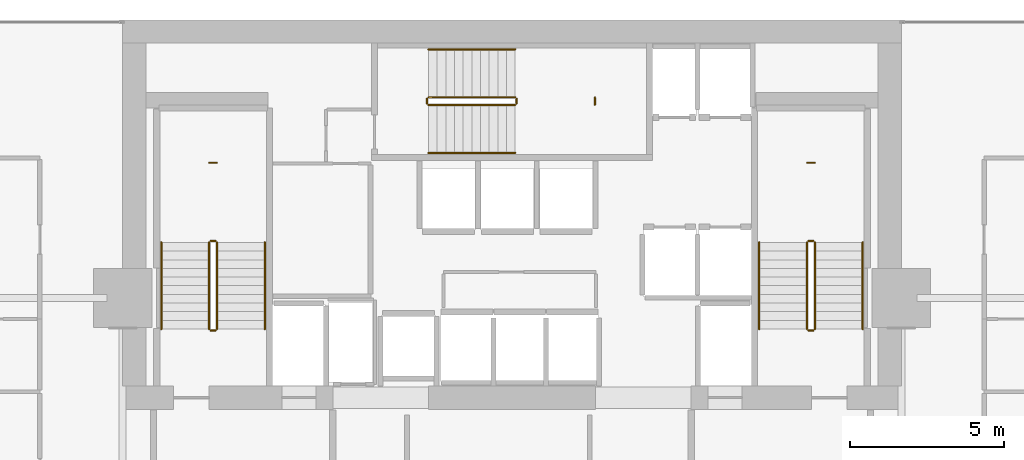
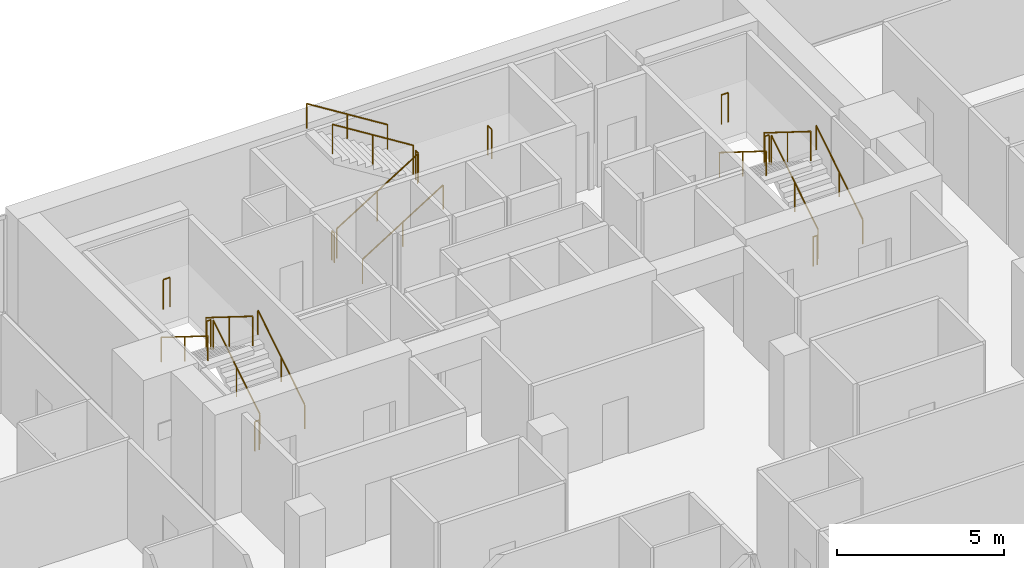
# One storey, part 34 of 34: 21 railings.
"""IFC4 building model written with IfcOpenShell, lengths in metres."""

from ifc_helpers import new_model, si_unit, direction, frame, origin, origin_2d, place, context, subcontext, project, spatial, circle, extrude, material, type_object, element, save


model = new_model("IFC4")

# Units and contexts
model_context = context("Model", 3, precision=1e-05, world=origin(), true_north=direction((0.0, 1.0)))
body_context = subcontext(model_context, "Body", "Model", "MODEL_VIEW")
ifc_project = project(units=[si_unit("LENGTHUNIT", "METRE"), si_unit("AREAUNIT", "SQUARE_METRE"), si_unit("VOLUMEUNIT", "CUBIC_METRE"), si_unit("PLANEANGLEUNIT", "RADIAN"), si_unit("MASSUNIT", "GRAM", prefix="KILO")], contexts=[model_context])

# Site, building, storey
site_placement = place(None, origin())
site = spatial("IfcSite", under=ifc_project, at=site_placement, CompositionType="ELEMENT")
building_placement = place(site_placement, origin())
building = spatial("IfcBuilding", under=site, at=building_placement, Name="Maruvema Waterfront Hotel and Observation Tower", CompositionType="ELEMENT")
storey_placement = place(building_placement, frame((0.0, 0.0, 185.14990234375)))
storey = spatial("IfcBuildingStorey", under=building, at=storey_placement, Name="L45", CompositionType="ELEMENT", Elevation=185.14990234375)

# Railings
ifc_material_1 = material(Name="Brushed stainless steel Grade 316", Category="steel")
railing_type_1 = type_object("IfcRailingType", Name="Ramp Continuous Wall Handrail 920 mm", PredefinedType="HANDRAIL", material=ifc_material_1)
railing_1_placement = place(storey_placement, frame((29.800048828125, 44.0, 0.175048828125)))
element("IfcRailing", 1, at=railing_1_placement, inside=storey, type_object=railing_type_1, Name="L45 ST-01 stair handrail 1", PredefinedType="HANDRAIL", context=body_context, shape_type="SweptSolid", body=[
    extrude(circle(Radius=0.02392578125, at=origin_2d()), frame((0.0, 0.0, 0.89599609375), z_axis=(0.0, 0.848002457836, 0.529992293815), x_axis=(-1.0, 0.0, 0.0)), (0.0, 0.0, 1.0), 3.302001953125),
    extrude(circle(Radius=0.02099609375, at=origin_2d()), origin(), (0.0, 0.0, 1.0), 0.871826171875),
    extrude(circle(Radius=0.02099609375, at=origin_2d()), frame((0.0, 1.39990234375, 0.875)), (0.0, 0.0, 1.0), 0.871826171875),
    extrude(circle(Radius=0.02099609375, at=origin_2d()), frame((0.0, 2.800048828125, 1.75)), (0.0, 0.0, 1.0), 0.871826171875),
])
railing_2_placement = place(storey_placement, frame((26.449951171875, 46.800048828125, 2.10009765625)))
element("IfcRailing", 2, at=railing_2_placement, inside=storey, type_object=railing_type_1, Name="L45 ST-01 stair handrail 2", PredefinedType="HANDRAIL", context=body_context, shape_type="SweptSolid", body=[
    extrude(circle(Radius=0.02392578125, at=origin_2d()), frame((0.0, 0.0, 0.89599609375), z_axis=(0.0, -0.848002457836, 0.529992293815), x_axis=(1.0, 0.0, 0.0)), (0.0, 0.0, 1.0), 3.302001953125),
    extrude(circle(Radius=0.02099609375, at=origin_2d()), origin(), (0.0, 0.0, 1.0), 0.871826171875),
    extrude(circle(Radius=0.02099609375, at=origin_2d()), frame((0.0, -1.39990234375, 0.875)), (0.0, 0.0, 1.0), 0.871826171875),
    extrude(circle(Radius=0.02099609375, at=origin_2d()), frame((0.0, -2.800048828125, 1.75)), (0.0, 0.0, 1.0), 0.871826171875),
])
railing_3_placement = place(storey_placement, frame((35.10009765625, 49.699951171875, 0.175048828125)))
element("IfcRailing", 3, at=railing_3_placement, inside=storey, type_object=railing_type_1, Name="L45 ST-02 stair handrail 1", PredefinedType="HANDRAIL", context=body_context, shape_type="SweptSolid", body=[
    extrude(circle(Radius=0.02392578125, at=origin_2d()), frame((0.0, 0.0, 0.89599609375), z_axis=(0.847981687118, 0.0, 0.530025526095), x_axis=(0.0, 1.0, 0.0)), (0.0, 0.0, 1.0), 3.3017578125),
    extrude(circle(Radius=0.02099609375, at=origin_2d()), origin(), (0.0, 0.0, 1.0), 0.871826171875),
    extrude(circle(Radius=0.02099609375, at=origin_2d()), frame((1.39990234375, 0.0, 0.875)), (0.0, 0.0, 1.0), 0.871826171875),
    extrude(circle(Radius=0.02099609375, at=origin_2d()), frame((2.7998046875, 0.0, 1.75)), (0.0, 0.0, 1.0), 0.871826171875),
])
railing_4_placement = place(storey_placement, frame((37.89990234375, 53.050048828125, 2.10009765625)))
element("IfcRailing", 4, at=railing_4_placement, inside=storey, type_object=railing_type_1, Name="L45 ST-02 stair handrail 2", PredefinedType="HANDRAIL", context=body_context, shape_type="SweptSolid", body=[
    extrude(circle(Radius=0.02392578125, at=origin_2d()), frame((0.0, 0.0, 0.89599609375), z_axis=(-0.847981687118, 0.0, 0.530025526095), x_axis=(0.0, -1.0, 0.0)), (0.0, 0.0, 1.0), 3.3017578125),
    extrude(circle(Radius=0.02099609375, at=origin_2d()), origin(), (0.0, 0.0, 1.0), 0.871826171875),
    extrude(circle(Radius=0.02099609375, at=origin_2d()), frame((-1.39990234375, 0.0, 0.875)), (0.0, 0.0, 1.0), 0.871826171875),
    extrude(circle(Radius=0.02099609375, at=origin_2d()), frame((-2.7998046875, 0.0, 1.75)), (0.0, 0.0, 1.0), 0.871826171875),
])
railing_5_placement = place(storey_placement, frame((49.14990234375, 44.0, 0.175048828125)))
element("IfcRailing", 5, at=railing_5_placement, inside=storey, type_object=railing_type_1, Name="L45 ST-03 stair handrail 1", PredefinedType="HANDRAIL", context=body_context, shape_type="SweptSolid", body=[
    extrude(circle(Radius=0.02392578125, at=origin_2d()), frame((0.0, 0.0, 0.89599609375), z_axis=(0.0, 0.848002457836, 0.529992293815), x_axis=(-1.0, 0.0, 0.0)), (0.0, 0.0, 1.0), 3.302001953125),
    extrude(circle(Radius=0.02099609375, at=origin_2d()), origin(), (0.0, 0.0, 1.0), 0.871826171875),
    extrude(circle(Radius=0.02099609375, at=origin_2d()), frame((0.0, 1.39990234375, 0.875)), (0.0, 0.0, 1.0), 0.871826171875),
    extrude(circle(Radius=0.02099609375, at=origin_2d()), frame((0.0, 2.800048828125, 1.75)), (0.0, 0.0, 1.0), 0.871826171875),
])
railing_6_placement = place(storey_placement, frame((45.800048828125, 46.800048828125, 2.10009765625)))
element("IfcRailing", 6, at=railing_6_placement, inside=storey, type_object=railing_type_1, Name="L45 ST-03 stair handrail 2", PredefinedType="HANDRAIL", context=body_context, shape_type="SweptSolid", body=[
    extrude(circle(Radius=0.02392578125, at=origin_2d()), frame((0.0, 0.0, 0.89599609375), z_axis=(0.0, -0.848002457836, 0.529992293815), x_axis=(1.0, 0.0, 0.0)), (0.0, 0.0, 1.0), 3.302001953125),
    extrude(circle(Radius=0.02099609375, at=origin_2d()), origin(), (0.0, 0.0, 1.0), 0.871826171875),
    extrude(circle(Radius=0.02099609375, at=origin_2d()), frame((0.0, -1.39990234375, 0.875)), (0.0, 0.0, 1.0), 0.871826171875),
    extrude(circle(Radius=0.02099609375, at=origin_2d()), frame((0.0, -2.800048828125, 1.75)), (0.0, 0.0, 1.0), 0.871826171875),
])
ifc_material_2 = material(Name="Brushed stainless steel Grade 316", Category="steel")
railing_type_2 = type_object("IfcRailingType", Name="Ramp and Terrace Guard Balustrade 1100 mm", PredefinedType="BALUSTRADE", material=ifc_material_2)
railing_7_placement = place(storey_placement, frame((28.25, 44.0, 0.175048828125)))
element("IfcRailing", 7, at=railing_7_placement, inside=storey, type_object=railing_type_2, Name="L45 ST-01 stair guard 1", PredefinedType="BALUSTRADE", context=body_context, shape_type="SweptSolid", body=[
    extrude(circle(Radius=0.02392578125, at=origin_2d()), frame((0.0, 0.0, 1.076171875), z_axis=(0.0, 0.848002457836, 0.529992293815), x_axis=(-1.0, 0.0, 0.0)), (0.0, 0.0, 1.0), 3.302001953125),
    extrude(circle(Radius=0.02099609375, at=origin_2d()), origin(), (0.0, 0.0, 1.0), 1.052001953125),
    extrude(circle(Radius=0.02099609375, at=origin_2d()), frame((0.0, 1.39990234375, 0.875)), (0.0, 0.0, 1.0), 1.052001953125),
    extrude(circle(Radius=0.02099609375, at=origin_2d()), frame((0.0, 2.800048828125, 1.75)), (0.0, 0.0, 1.0), 1.052001953125),
])
railing_8_placement = place(storey_placement, frame((28.199951171875, 46.85009765625, 1.925048828125)))
element("IfcRailing", 8, at=railing_8_placement, inside=storey, type_object=railing_type_2, Name="L45 ST-01 stair guard 2", PredefinedType="BALUSTRADE", context=body_context, shape_type="SweptSolid", body=[
    extrude(circle(Radius=0.02392578125, at=origin_2d()), frame((0.0, 0.0, 1.076171875), z_axis=(-1.0, 0.0, 0.0), x_axis=(0.0, -1.0, 0.0)), (0.0, 0.0, 1.0), 0.14990234375),
    extrude(circle(Radius=0.02099609375, at=origin_2d()), origin(), (0.0, 0.0, 1.0), 1.052001953125),
    extrude(circle(Radius=0.02099609375, at=origin_2d()), frame((-0.14990234375, 0.0, 0.0)), (0.0, 0.0, 1.0), 1.052001953125),
])
railing_9_placement = place(storey_placement, frame((28.0, 46.800048828125, 2.10009765625)))
element("IfcRailing", 9, at=railing_9_placement, inside=storey, type_object=railing_type_2, Name="L45 ST-01 stair guard 3", PredefinedType="BALUSTRADE", context=body_context, shape_type="SweptSolid", body=[
    extrude(circle(Radius=0.02392578125, at=origin_2d()), frame((0.0, 0.0, 1.076171875), z_axis=(0.0, -0.848002457836, 0.529992293815), x_axis=(1.0, 0.0, 0.0)), (0.0, 0.0, 1.0), 3.302001953125),
    extrude(circle(Radius=0.02099609375, at=origin_2d()), origin(), (0.0, 0.0, 1.0), 1.052001953125),
    extrude(circle(Radius=0.02099609375, at=origin_2d()), frame((0.0, -1.39990234375, 0.875)), (0.0, 0.0, 1.0), 1.052001953125),
    extrude(circle(Radius=0.02099609375, at=origin_2d()), frame((0.0, -2.800048828125, 1.75)), (0.0, 0.0, 1.0), 1.052001953125),
])
railing_10_placement = place(storey_placement, frame((28.199951171875, 43.949951171875, 0.0)))
element("IfcRailing", 10, at=railing_10_placement, inside=storey, type_object=railing_type_2, Name="L45 ST-01 stair guard 4", PredefinedType="BALUSTRADE", context=body_context, shape_type="SweptSolid", body=[
    extrude(circle(Radius=0.02392578125, at=origin_2d()), frame((0.0, 0.0, 1.076171875), z_axis=(-1.0, 0.0, 0.0), x_axis=(0.0, -1.0, 0.0)), (0.0, 0.0, 1.0), 0.14990234375),
    extrude(circle(Radius=0.02099609375, at=origin_2d()), origin(), (0.0, 0.0, 1.0), 1.052001953125),
    extrude(circle(Radius=0.02099609375, at=origin_2d()), frame((-0.14990234375, 0.0, 0.0)), (0.0, 0.0, 1.0), 1.052001953125),
])
railing_11_placement = place(storey_placement, frame((28.239990234375, 49.3798828125, 1.925048828125)))
element("IfcRailing", 11, at=railing_11_placement, inside=storey, type_object=railing_type_2, Name="L45 ST-01 Half-Landing Slot Guard", PredefinedType="BALUSTRADE", context=body_context, shape_type="SweptSolid", body=[
    extrude(circle(Radius=0.02392578125, at=origin_2d()), frame((0.0, 0.0, 1.076171875), z_axis=(-1.0, 0.0, 0.0), x_axis=(0.0, -1.0, 0.0)), (0.0, 0.0, 1.0), 0.22998046875),
    extrude(circle(Radius=0.02099609375, at=origin_2d()), origin(), (0.0, 0.0, 1.0), 1.052001953125),
    extrude(circle(Radius=0.02099609375, at=origin_2d()), frame((-0.22998046875, 0.0, 0.0)), (0.0, 0.0, 1.0), 1.052001953125),
])
railing_12_placement = place(storey_placement, frame((35.10009765625, 51.25, 0.175048828125)))
element("IfcRailing", 12, at=railing_12_placement, inside=storey, type_object=railing_type_2, Name="L45 ST-02 stair guard 1", PredefinedType="BALUSTRADE", context=body_context, shape_type="SweptSolid", body=[
    extrude(circle(Radius=0.02392578125, at=origin_2d()), frame((0.0, 0.0, 1.076171875), z_axis=(0.847981687118, 0.0, 0.530025526095), x_axis=(0.0, 1.0, 0.0)), (0.0, 0.0, 1.0), 3.3017578125),
    extrude(circle(Radius=0.02099609375, at=origin_2d()), origin(), (0.0, 0.0, 1.0), 1.052001953125),
    extrude(circle(Radius=0.02099609375, at=origin_2d()), frame((1.39990234375, 0.0, 0.875)), (0.0, 0.0, 1.0), 1.052001953125),
    extrude(circle(Radius=0.02099609375, at=origin_2d()), frame((2.7998046875, 0.0, 1.75)), (0.0, 0.0, 1.0), 1.052001953125),
])
railing_13_placement = place(storey_placement, frame((37.949951171875, 51.300048828125, 1.925048828125)))
element("IfcRailing", 13, at=railing_13_placement, inside=storey, type_object=railing_type_2, Name="L45 ST-02 stair guard 2", PredefinedType="BALUSTRADE", context=body_context, shape_type="SweptSolid", body=[
    extrude(circle(Radius=0.02392578125, at=origin_2d()), frame((0.0, 0.0, 1.076171875), z_axis=(0.0, 1.0, 0.0), x_axis=(-1.0, 0.0, 0.0)), (0.0, 0.0, 1.0), 0.14990234375),
    extrude(circle(Radius=0.02099609375, at=origin_2d()), origin(), (0.0, 0.0, 1.0), 1.052001953125),
    extrude(circle(Radius=0.02099609375, at=origin_2d()), frame((0.0, 0.14990234375, 0.0)), (0.0, 0.0, 1.0), 1.052001953125),
])
railing_14_placement = place(storey_placement, frame((37.89990234375, 51.5, 2.10009765625)))
element("IfcRailing", 14, at=railing_14_placement, inside=storey, type_object=railing_type_2, Name="L45 ST-02 stair guard 3", PredefinedType="BALUSTRADE", context=body_context, shape_type="SweptSolid", body=[
    extrude(circle(Radius=0.02392578125, at=origin_2d()), frame((0.0, 0.0, 1.076171875), z_axis=(-0.847981687118, 0.0, 0.530025526095), x_axis=(0.0, -1.0, 0.0)), (0.0, 0.0, 1.0), 3.3017578125),
    extrude(circle(Radius=0.02099609375, at=origin_2d()), origin(), (0.0, 0.0, 1.0), 1.052001953125),
    extrude(circle(Radius=0.02099609375, at=origin_2d()), frame((-1.39990234375, 0.0, 0.875)), (0.0, 0.0, 1.0), 1.052001953125),
    extrude(circle(Radius=0.02099609375, at=origin_2d()), frame((-2.7998046875, 0.0, 1.75)), (0.0, 0.0, 1.0), 1.052001953125),
])
railing_15_placement = place(storey_placement, frame((35.050048828125, 51.300048828125, 0.0)))
element("IfcRailing", 15, at=railing_15_placement, inside=storey, type_object=railing_type_2, Name="L45 ST-02 stair guard 4", PredefinedType="BALUSTRADE", context=body_context, shape_type="SweptSolid", body=[
    extrude(circle(Radius=0.02392578125, at=origin_2d()), frame((0.0, 0.0, 1.076171875), z_axis=(0.0, 1.0, 0.0), x_axis=(-1.0, 0.0, 0.0)), (0.0, 0.0, 1.0), 0.14990234375),
    extrude(circle(Radius=0.02099609375, at=origin_2d()), origin(), (0.0, 0.0, 1.0), 1.052001953125),
    extrude(circle(Radius=0.02099609375, at=origin_2d()), frame((0.0, 0.14990234375, 0.0)), (0.0, 0.0, 1.0), 1.052001953125),
])
railing_16_placement = place(storey_placement, frame((40.47998046875, 51.260009765625, 1.925048828125)))
element("IfcRailing", 16, at=railing_16_placement, inside=storey, type_object=railing_type_2, Name="L45 ST-02 Half-Landing Slot Guard", PredefinedType="BALUSTRADE", context=body_context, shape_type="SweptSolid", body=[
    extrude(circle(Radius=0.02392578125, at=origin_2d()), frame((0.0, 0.0, 1.076171875), z_axis=(0.0, 1.0, 0.0), x_axis=(-1.0, 0.0, 0.0)), (0.0, 0.0, 1.0), 0.22998046875),
    extrude(circle(Radius=0.02099609375, at=origin_2d()), origin(), (0.0, 0.0, 1.0), 1.052001953125),
    extrude(circle(Radius=0.02099609375, at=origin_2d()), frame((0.0, 0.22998046875, 0.0)), (0.0, 0.0, 1.0), 1.052001953125),
])
railing_17_placement = place(storey_placement, frame((47.60009765625, 44.0, 0.175048828125)))
element("IfcRailing", 17, at=railing_17_placement, inside=storey, type_object=railing_type_2, Name="L45 ST-03 stair guard 1", PredefinedType="BALUSTRADE", context=body_context, shape_type="SweptSolid", body=[
    extrude(circle(Radius=0.02392578125, at=origin_2d()), frame((0.0, 0.0, 1.076171875), z_axis=(0.0, 0.848002457836, 0.529992293815), x_axis=(-1.0, 0.0, 0.0)), (0.0, 0.0, 1.0), 3.302001953125),
    extrude(circle(Radius=0.02099609375, at=origin_2d()), origin(), (0.0, 0.0, 1.0), 1.052001953125),
    extrude(circle(Radius=0.02099609375, at=origin_2d()), frame((0.0, 1.39990234375, 0.875)), (0.0, 0.0, 1.0), 1.052001953125),
    extrude(circle(Radius=0.02099609375, at=origin_2d()), frame((0.0, 2.800048828125, 1.75)), (0.0, 0.0, 1.0), 1.052001953125),
])
railing_18_placement = place(storey_placement, frame((47.550048828125, 46.85009765625, 1.925048828125)))
element("IfcRailing", 18, at=railing_18_placement, inside=storey, type_object=railing_type_2, Name="L45 ST-03 stair guard 2", PredefinedType="BALUSTRADE", context=body_context, shape_type="SweptSolid", body=[
    extrude(circle(Radius=0.02392578125, at=origin_2d()), frame((0.0, 0.0, 1.076171875), z_axis=(-1.0, 0.0, 0.0), x_axis=(0.0, -1.0, 0.0)), (0.0, 0.0, 1.0), 0.150146484375),
    extrude(circle(Radius=0.02099609375, at=origin_2d()), origin(), (0.0, 0.0, 1.0), 1.052001953125),
    extrude(circle(Radius=0.02099609375, at=origin_2d()), frame((-0.150146484375, 0.0, 0.0)), (0.0, 0.0, 1.0), 1.052001953125),
])
railing_19_placement = place(storey_placement, frame((47.35009765625, 46.800048828125, 2.10009765625)))
element("IfcRailing", 19, at=railing_19_placement, inside=storey, type_object=railing_type_2, Name="L45 ST-03 stair guard 3", PredefinedType="BALUSTRADE", context=body_context, shape_type="SweptSolid", body=[
    extrude(circle(Radius=0.02392578125, at=origin_2d()), frame((0.0, 0.0, 1.076171875), z_axis=(0.0, -0.848002457836, 0.529992293815), x_axis=(1.0, 0.0, 0.0)), (0.0, 0.0, 1.0), 3.302001953125),
    extrude(circle(Radius=0.02099609375, at=origin_2d()), origin(), (0.0, 0.0, 1.0), 1.052001953125),
    extrude(circle(Radius=0.02099609375, at=origin_2d()), frame((0.0, -1.39990234375, 0.875)), (0.0, 0.0, 1.0), 1.052001953125),
    extrude(circle(Radius=0.02099609375, at=origin_2d()), frame((0.0, -2.800048828125, 1.75)), (0.0, 0.0, 1.0), 1.052001953125),
])
railing_20_placement = place(storey_placement, frame((47.550048828125, 43.949951171875, 0.0)))
element("IfcRailing", 20, at=railing_20_placement, inside=storey, type_object=railing_type_2, Name="L45 ST-03 stair guard 4", PredefinedType="BALUSTRADE", context=body_context, shape_type="SweptSolid", body=[
    extrude(circle(Radius=0.02392578125, at=origin_2d()), frame((0.0, 0.0, 1.076171875), z_axis=(-1.0, 0.0, 0.0), x_axis=(0.0, -1.0, 0.0)), (0.0, 0.0, 1.0), 0.150146484375),
    extrude(circle(Radius=0.02099609375, at=origin_2d()), origin(), (0.0, 0.0, 1.0), 1.052001953125),
    extrude(circle(Radius=0.02099609375, at=origin_2d()), frame((-0.150146484375, 0.0, 0.0)), (0.0, 0.0, 1.0), 1.052001953125),
])
railing_21_placement = place(storey_placement, frame((47.590087890625, 49.3798828125, 1.925048828125)))
element("IfcRailing", 21, at=railing_21_placement, inside=storey, type_object=railing_type_2, Name="L45 ST-03 Half-Landing Slot Guard", PredefinedType="BALUSTRADE", context=body_context, shape_type="SweptSolid", body=[
    extrude(circle(Radius=0.02392578125, at=origin_2d()), frame((0.0, 0.0, 1.076171875), z_axis=(-1.0, 0.0, 0.0), x_axis=(0.0, -1.0, 0.0)), (0.0, 0.0, 1.0), 0.22998046875),
    extrude(circle(Radius=0.02099609375, at=origin_2d()), origin(), (0.0, 0.0, 1.0), 1.052001953125),
    extrude(circle(Radius=0.02099609375, at=origin_2d()), frame((-0.22998046875, 0.0, 0.0)), (0.0, 0.0, 1.0), 1.052001953125),
])

save(model, "model.ifc")
